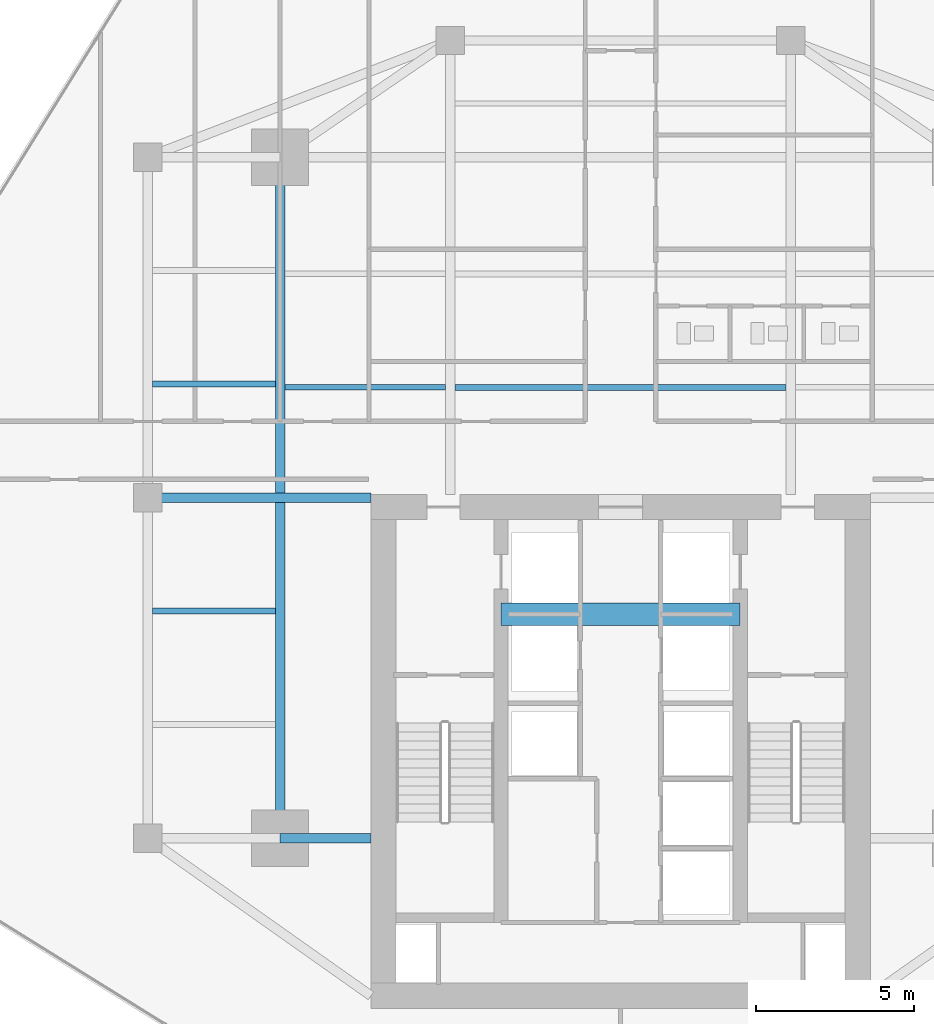
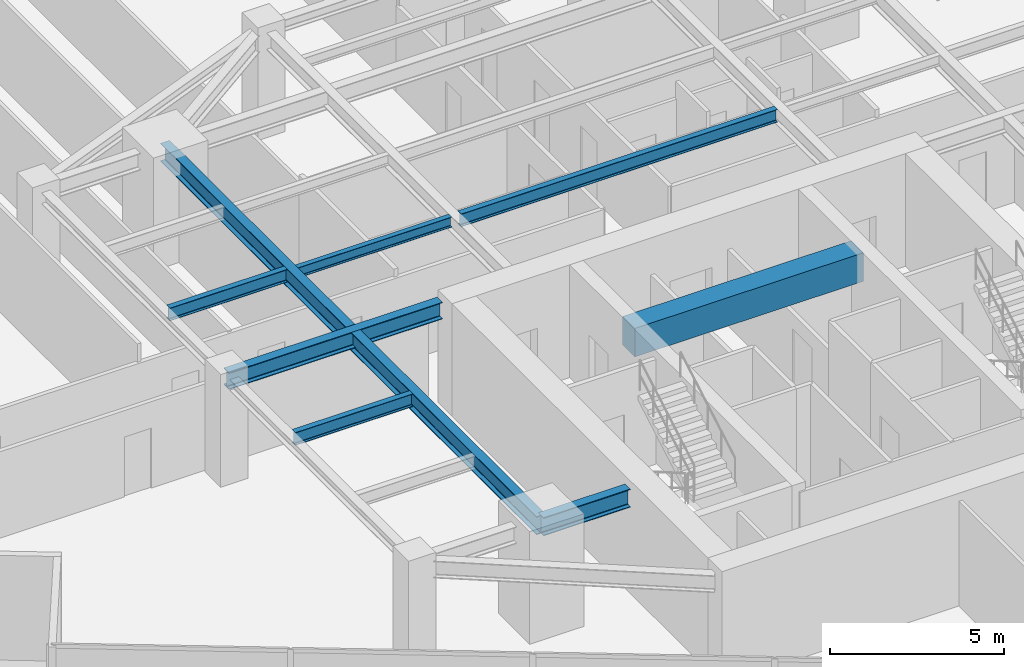
# One storey, part 8 of 25: 8 beams.
"""IFC4 building model written with IfcOpenShell, lengths in metres."""

from ifc_helpers import new_model, si_unit, direction, frame, origin, origin_2d, place, context, subcontext, project, spatial, rectangle, i_section, extrude, source, transform, mapped, material, material_profile, profile_set, type_object, type_shapes, element, save


model = new_model("IFC4")

# Units and contexts
model_context = context("Model", 3, precision=1e-05, world=origin(), true_north=direction((0.0, 1.0)))
body_context = subcontext(model_context, "Body", "Model", "MODEL_VIEW")
ifc_project = project(units=[si_unit("LENGTHUNIT", "METRE"), si_unit("AREAUNIT", "SQUARE_METRE"), si_unit("VOLUMEUNIT", "CUBIC_METRE"), si_unit("PLANEANGLEUNIT", "RADIAN"), si_unit("MASSUNIT", "GRAM", prefix="KILO")], contexts=[model_context])

# Site, building, storey
site_placement = place(None, origin())
site = spatial("IfcSite", under=ifc_project, at=site_placement, CompositionType="ELEMENT")
building_placement = place(site_placement, origin())
building = spatial("IfcBuilding", under=site, at=building_placement, Name="Krantzveldt Concourse Tower", CompositionType="ELEMENT")
storey_placement = place(building_placement, frame((0.0, 0.0, 177.800048828125)))
storey = spatial("IfcBuildingStorey", under=building, at=storey_placement, Name="L43", CompositionType="ELEMENT", Elevation=177.800048828125)

# Beams
ifc_material_1 = material(Name="Steel S355JR", Category="steel")
ifc_material_profile_1 = material_profile(ifc_material_1, i_section(OverallWidth=0.300048828125, OverallDepth=0.639892578125, WebThickness=0.013427734375, FlangeThickness=0.02587890625, FilletRadius=0.027099609375, at=origin_2d()), Name="Steel S355JR", Category="steel")
ifc_profile_set_1 = profile_set([ifc_material_profile_1], Name="Steel S355JR - HEA 650")
beam_type_1 = type_object("IfcBeamType", Name="BM-B-HEA650", PredefinedType="BEAM", material=ifc_profile_set_1)
shared_shape_1 = source(origin(), body_context, "Body", "SweptSolid", [
    extrude(i_section(OverallWidth=0.300048828125, OverallDepth=0.639892578125, WebThickness=0.013427734375, FlangeThickness=0.02587890625, FilletRadius=0.027099609375, at=origin_2d()), origin(), (0.0, 0.0, 1.0), 21.60009765625),
])
beam_1_placement = place(storey_placement, frame((25.199951171875, 15.89990234375, 3.349853515625), z_axis=(0.0, 1.0, 0.0), x_axis=(-1.0, 0.0, 0.0)))
element("IfcBeam", 1, at=beam_1_placement, inside=storey, type_object=beam_type_1, Name="L43 Tower Girder BG-MW", PredefinedType="BEAM", context=body_context, shape_type="MappedRepresentation", body=[
    mapped(shared_shape_1, transform((0.0, 0.0, 0.0), x_axis=(1.0, 0.0, 0.0), y_axis=(0.0, 1.0, 0.0), z_axis=(0.0, 0.0, 1.0), scale=1.0)),
])
ifc_material_profile_2 = material_profile(ifc_material_1, i_section(OverallWidth=0.300048828125, OverallDepth=0.590087890625, WebThickness=0.012939453125, FlangeThickness=0.02490234375, FilletRadius=0.027099609375, at=origin_2d()), Name="Steel S355JR", Category="steel")
ifc_profile_set_2 = profile_set([ifc_material_profile_2], Name="Steel S355JR - HEA 600")
beam_type_2 = type_object("IfcBeamType", Name="BM-B-HEA600", PredefinedType="BEAM", material=ifc_profile_set_2)
shared_shape_2 = source(origin(), body_context, "Body", "SweptSolid", [
    extrude(i_section(OverallWidth=0.300048828125, OverallDepth=0.590087890625, WebThickness=0.012939453125, FlangeThickness=0.02490234375, FilletRadius=0.027099609375, at=origin_2d()), origin(), (0.0, 0.0, 1.0), 7.080078125),
])
type_shapes(beam_type_2, [shared_shape_2])
beam_2_placement = place(storey_placement, frame((21.0, 26.699951171875, 3.375), z_axis=(1.0, 0.0, 0.0), x_axis=(0.0, 1.0, 0.0)))
element("IfcBeam", 2, at=beam_2_placement, inside=storey, type_object=beam_type_2, Name="L43 Tower Girder BG-CW2", PredefinedType="BEAM", context=body_context, shape_type="MappedRepresentation", body=[
    mapped(shared_shape_2, transform((0.0, 0.0, 0.0), x_axis=(1.0, 0.0, 0.0), y_axis=(0.0, 1.0, 0.0), z_axis=(0.0, 0.0, 1.0), scale=1.0)),
])
ifc_material_profile_3 = material_profile(ifc_material_1, i_section(OverallWidth=0.18994140625, OverallDepth=0.449951171875, WebThickness=0.009521484375, FlangeThickness=0.0146484375, FilletRadius=0.02099609375, at=origin_2d()), Name="Steel S355JR", Category="steel")
ifc_profile_set_3 = profile_set([ifc_material_profile_3], Name="Steel S355JR - IPE 450")
beam_type_3 = type_object("IfcBeamType", Name="BM-J-IPE450", PredefinedType="JOIST", material=ifc_profile_set_3)
shared_shape_3 = source(origin(), body_context, "Body", "SweptSolid", [
    extrude(i_section(OverallWidth=0.18994140625, OverallDepth=0.449951171875, WebThickness=0.009521484375, FlangeThickness=0.0146484375, FilletRadius=0.02099609375, at=origin_2d()), origin(), (0.0, 0.0, 1.0), 10.5),
])
beam_3_placement = place(storey_placement, frame((30.75, 30.199951171875, 3.445068359375), z_axis=(1.0, 0.0, 0.0), x_axis=(0.0, 1.0, 0.0)))
element("IfcBeam", 3, at=beam_3_placement, inside=storey, type_object=beam_type_3, Name="L43 Secondary Floor Joist JN-C1", PredefinedType="JOIST", context=body_context, shape_type="MappedRepresentation", body=[
    mapped(shared_shape_3, transform((0.0, 0.0, 0.0), x_axis=(1.0, 0.0, 0.0), y_axis=(0.0, 1.0, 0.0), z_axis=(0.0, 0.0, 1.0), scale=1.0)),
])
ifc_material_2 = material(Name="Concrete C50/60", Category="concrete")
ifc_material_profile_4 = material_profile(ifc_material_2, rectangle(XDim=0.699951171875, YDim=1.0, at=origin_2d()), Name="Concrete C50/60", Category="concrete")
ifc_profile_set_4 = profile_set([ifc_material_profile_4], Name="Concrete C50/60 - RC-CB 700x1000")
beam_type_4 = type_object("IfcBeamType", Name="BM-CB-1000", PredefinedType="LINTEL", material=ifc_profile_set_4)
shared_shape_4 = source(origin(), body_context, "Body", "SweptSolid", [
    extrude(rectangle(XDim=0.699951171875, YDim=1.0, at=origin_2d()), origin(), (0.0, 0.0, 1.0), 7.580078125),
])
type_shapes(beam_type_4, [shared_shape_4])
beam_4_placement = place(storey_placement, frame((32.2099609375, 23.0, 3.169921875), z_axis=(1.0, 0.0, 0.0), x_axis=(0.0, 1.0, 0.0)))
element("IfcBeam", 4, at=beam_4_placement, inside=storey, type_object=beam_type_4, Name="CB-L43-01", PredefinedType="LINTEL", context=body_context, shape_type="MappedRepresentation", body=[
    mapped(shared_shape_4, transform((0.0, 0.0, 0.0), x_axis=(1.0, 0.0, 0.0), y_axis=(0.0, 1.0, 0.0), z_axis=(0.0, 0.0, 1.0), scale=1.0)),
])
shared_shape_5 = source(origin(), body_context, "Body", "SweptSolid", [
    extrude(i_section(OverallWidth=0.300048828125, OverallDepth=0.639892578125, WebThickness=0.013427734375, FlangeThickness=0.02587890625, FilletRadius=0.027099609375, at=origin_2d()), origin(), (0.0, 0.0, 1.0), 2.880126953125),
])
type_shapes(beam_type_1, [shared_shape_1, shared_shape_5])
beam_5_placement = place(storey_placement, frame((25.199951171875, 15.89990234375, 3.349853515625), z_axis=(1.0, 0.0, 0.0), x_axis=(0.0, 1.0, 0.0)))
element("IfcBeam", 5, at=beam_5_placement, inside=storey, type_object=beam_type_1, Name="L43 Tower Girder BG-CW1", PredefinedType="BEAM", context=body_context, shape_type="MappedRepresentation", body=[
    mapped(shared_shape_5, transform((0.0, 0.0, 0.0), x_axis=(1.0, 0.0, 0.0), y_axis=(0.0, 1.0, 0.0), z_axis=(0.0, 0.0, 1.0), scale=1.0)),
])
ifc_material_profile_5 = material_profile(ifc_material_1, i_section(OverallWidth=0.169921875, OverallDepth=0.360107421875, WebThickness=0.008056640625, FlangeThickness=0.0126953125, FilletRadius=0.01806640625, at=origin_2d()), Name="Steel S355JR", Category="steel")
ifc_profile_set_5 = profile_set([ifc_material_profile_5], Name="Steel S355JR - IPE 360")
beam_type_5 = type_object("IfcBeamType", Name="BM-J-IPE360", PredefinedType="JOIST", material=ifc_profile_set_5)
shared_shape_6 = source(origin(), body_context, "Body", "SweptSolid", [
    extrude(i_section(OverallWidth=0.169921875, OverallDepth=0.360107421875, WebThickness=0.008056640625, FlangeThickness=0.0126953125, FilletRadius=0.01806640625, at=origin_2d()), origin(), (0.0, 0.0, 1.0), 5.099853515625),
])
type_shapes(beam_type_5, [shared_shape_6])
beam_6_placement = place(storey_placement, frame((25.35009765625, 30.199951171875, 3.489990234375), z_axis=(1.0, 0.0, 0.0), x_axis=(0.0, 1.0, 0.0)))
element("IfcBeam", 6, at=beam_6_placement, inside=storey, type_object=beam_type_5, Name="L43 Secondary Floor Joist JN-W1", PredefinedType="JOIST", context=body_context, shape_type="MappedRepresentation", body=[
    mapped(shared_shape_6, transform((0.0, 0.0, 0.0), x_axis=(1.0, 0.0, 0.0), y_axis=(0.0, 1.0, 0.0), z_axis=(0.0, 0.0, 1.0), scale=1.0)),
])
shared_shape_7 = source(origin(), body_context, "Body", "SweptSolid", [
    extrude(i_section(OverallWidth=0.18994140625, OverallDepth=0.449951171875, WebThickness=0.009521484375, FlangeThickness=0.0146484375, FilletRadius=0.02099609375, at=origin_2d()), origin(), (0.0, 0.0, 1.0), 3.900146484375),
])
type_shapes(beam_type_3, [shared_shape_3, shared_shape_7])
for number, where, z_axis, x_axis, name in (
    (7, (21.14990234375, 23.10009765625, 3.445068359375), (1.0, 0.0, 0.0), (0.0, 1.0, 0.0), "L43 Secondary Floor Joist JW-2"),
    (8, (21.14990234375, 30.300048828125, 3.445068359375), (1.0, 0.0, 0.0), (0.0, 1.0, 0.0), "L43 Secondary Floor Joist JW-3"),
):
    element("IfcBeam", number, at=place(storey_placement, frame(where, z_axis=z_axis, x_axis=x_axis)), inside=storey, type_object=beam_type_3, Name=name, PredefinedType="JOIST", context=body_context, shape_type="MappedRepresentation", body=[
        mapped(shared_shape_7, transform((0.0, 0.0, 0.0), x_axis=(1.0, 0.0, 0.0), y_axis=(0.0, 1.0, 0.0), z_axis=(0.0, 0.0, 1.0), scale=1.0)),
    ])

save(model, "model.ifc")
